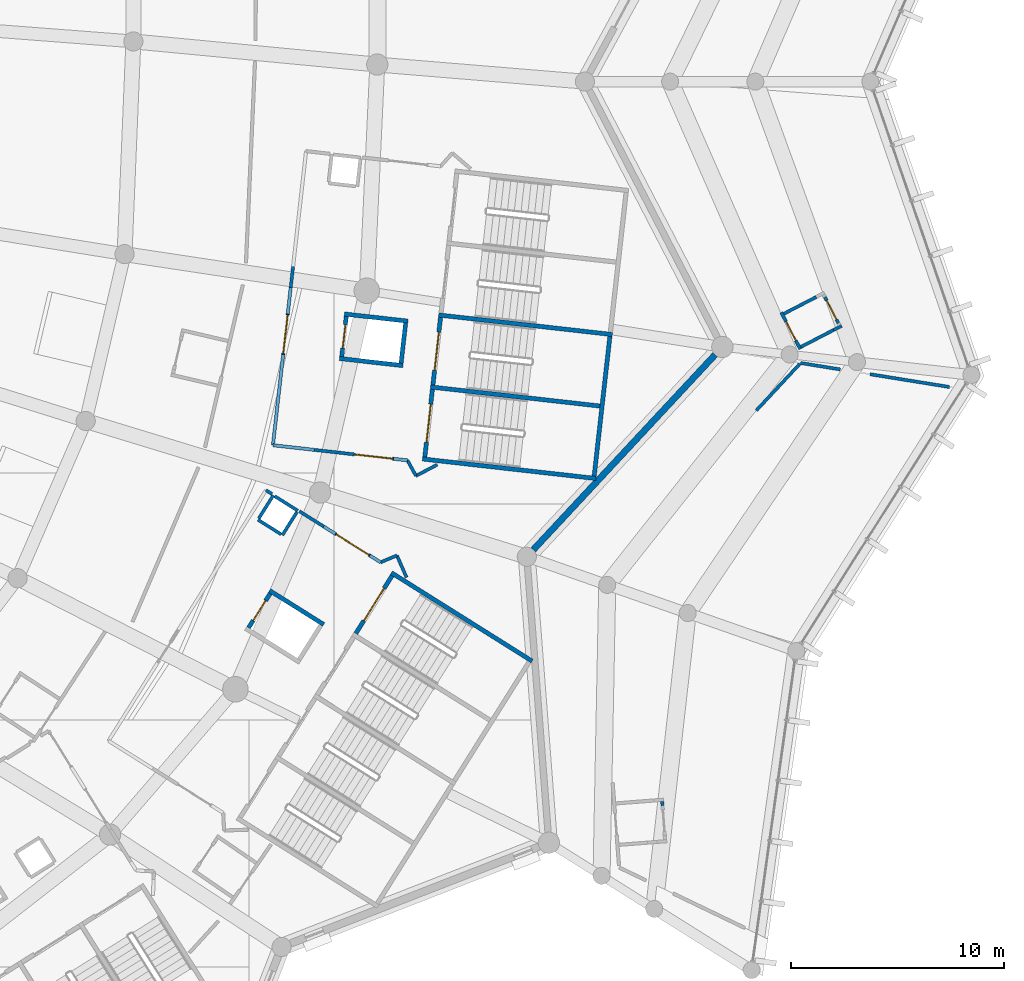
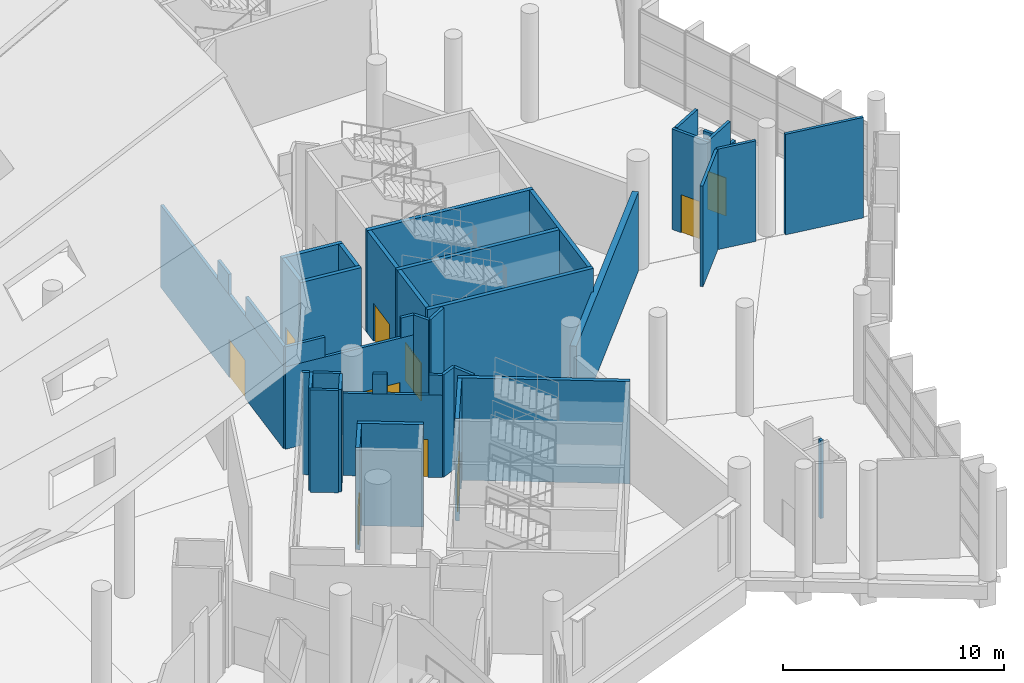
# One storey, part 153 of 249: 42 walls, 10 doors, 10 openings.
"""IFC4 building model written with IfcOpenShell, lengths in metres."""

from ifc_helpers import new_model, si_unit, direction, frame, frame_2d, origin, place, context, subcontext, project, spatial, rectangle, extrude, material, layer, layer_set, type_object, element, fill, save


model = new_model("IFC4")

# Units and contexts
model_context = context("Model", 3, precision=1e-05, world=origin(), true_north=direction((0.0, 1.0)))
body_context = subcontext(model_context, "Body", "Model", "MODEL_VIEW")
ifc_project = project(units=[si_unit("LENGTHUNIT", "METRE"), si_unit("AREAUNIT", "SQUARE_METRE"), si_unit("VOLUMEUNIT", "CUBIC_METRE"), si_unit("PLANEANGLEUNIT", "RADIAN"), si_unit("MASSUNIT", "GRAM", prefix="KILO")], contexts=[model_context])

# Site, building, storey
site_placement = place(None, origin())
site = spatial("IfcSite", under=ifc_project, at=site_placement, CompositionType="ELEMENT")
building_placement = place(site_placement, origin())
building = spatial("IfcBuilding", under=site, at=building_placement, Name="Meseta Stadium", CompositionType="ELEMENT")
storey_placement = place(building_placement, frame((0.0, 0.0, 12.0)))
storey = spatial("IfcBuildingStorey", under=building, at=storey_placement, Name="L02", CompositionType="ELEMENT", Elevation=12.0)

# Walls
ifc_material_1 = material(Name="Concrete C40/50", Category="concrete")
ifc_layer_1 = layer(ifc_material_1, 0.199951171875)
ifc_layer_set_1 = layer_set([ifc_layer_1], Name="Core divider wall 200")
wall_type_1 = type_object("IfcWallType", Name="Core divider wall 200", PredefinedType="SHEAR", material=ifc_layer_set_1)
wall_1_placement = place(storey_placement, frame((95.503662109375, -58.999267578125, 0.0), z_axis=(0.0, 0.0, 1.0), x_axis=(-0.993710792168, 0.111977058046, 0.0)))
element("IfcWall", 1, at=wall_1_placement, inside=storey, type_object=wall_type_1, Name="Core 01 L02 stair A divider wall", PredefinedType="SHEAR", context=body_context, shape_type="SweptSolid", body=[
    extrude(rectangle(XDim=8.199951171875, YDim=0.199951171875, at=frame_2d((4.10009765625, 0.0))), origin(), (0.0, 0.0, 1.0), 5.64990234375),
])
ifc_material_2 = material(Name="Concrete C40/50", Category="concrete")
ifc_layer_2 = layer(ifc_material_2, 0.199951171875)
ifc_layer_set_2 = layer_set([ifc_layer_2], Name="Core shaft wall 200")
wall_type_2 = type_object("IfcWallType", Name="Core shaft wall 200", PredefinedType="SHEAR", material=ifc_layer_set_2)
wall_2_placement = place(storey_placement, frame((95.123046875, -62.3779296875, 0.0), z_axis=(0.0, 0.0, 1.0), x_axis=(-0.993710792168, 0.111977058046, 0.0)))
element("IfcWall", 2, at=wall_2_placement, inside=storey, type_object=wall_type_2, Name="Core 01 L02 stair wall A-side", PredefinedType="SHEAR", context=body_context, shape_type="SweptSolid", body=[
    extrude(rectangle(XDim=8.199951171875, YDim=0.199951171875, at=frame_2d((4.10009765625, 0.0))), origin(), (0.0, 0.0, 1.0), 5.64990234375),
])
wall_3_placement = place(storey_placement, frame((95.884521484375, -55.62060546875, 0.0), z_axis=(0.0, 0.0, 1.0), x_axis=(-0.993711165474, 0.111973745194, 0.0)))
element("IfcWall", 3, at=wall_3_placement, inside=storey, type_object=wall_type_2, Name="Core 01 L02 stair wall shared", PredefinedType="SHEAR", context=body_context, shape_type="SweptSolid", body=[
    extrude(rectangle(XDim=8.2001953125, YDim=0.199951171875, at=frame_2d((4.10009765625, 0.0))), origin(), (0.0, 0.0, 1.0), 5.64990234375),
])
wall_4_placement = place(storey_placement, frame((95.034912109375, -62.267333984375, 0.0), z_axis=(0.0, 0.0, 1.0), x_axis=(0.111933579504, 0.993715690617, 0.0)))
element("IfcWall", 4, at=wall_4_placement, inside=storey, type_object=wall_type_2, Name="Core 01 L02 stair A outer end wall", PredefinedType="SHEAR", context=body_context, shape_type="SweptSolid", body=[
    extrude(rectangle(XDim=6.60009765625, YDim=0.199951171875, at=frame_2d((3.300048828125, 0.0))), origin(), (0.0, 0.0, 1.0), 5.64990234375),
])

# Wall, opening, door
wall_5_placement = place(storey_placement, frame((87.085205078125, -61.37158203125, 0.0), z_axis=(0.0, 0.0, 1.0), x_axis=(0.11192190762, 0.993717005286, 0.0)))
wall_5 = element("IfcWall", 5, at=wall_5_placement, inside=storey, type_object=wall_type_2, Name="Core 01 L02 stair A1 inner end wall", PredefinedType="SHEAR", context=body_context, shape_type="SweptSolid", body=[
    extrude(rectangle(XDim=3.199951171875, YDim=0.199951171875, at=frame_2d((1.60009765625, 0.0))), origin(), (0.0, 0.0, 1.0), 5.64990234375),
])
opening_1_placement = place(wall_5_placement, frame((0.699951171875, 0.0, 0.0)))
opening_1 = element("IfcOpeningElement", 6, at=opening_1_placement, cuts=wall_5, Name="Opening D1232", PredefinedType="OPENING", context=body_context, shape_type="SweptSolid", body=[
    extrude(rectangle(XDim=1.800048828125, YDim=2.10009765625, at=frame_2d((0.89990234375, 1.050048828125))), frame((0.0, 0.10986328125, 0.0), z_axis=(0.0, -1.0, 0.0), x_axis=(1.0, 0.0, 0.0)), (0.0, 0.0, 1.0), 0.219970703125),
])
ifc_material_3 = material(Name="Steel", Category="steel")
door_type_1 = type_object("IfcDoorType", Name="Stair door 1800x2100", OperationType="DOUBLE_DOOR_SINGLE_SWING", PredefinedType="DOOR", material=ifc_material_3)
door_1_placement = place(opening_1_placement, origin())
door_1 = element("IfcDoor", 7, at=door_1_placement, inside=storey, type_object=door_type_1, Name="Stair A1 door 01 L02", OperationType="DOUBLE_DOOR_SINGLE_SWING", OverallHeight=2.10009765625, OverallWidth=1.800048828125, PredefinedType="DOOR", context=body_context, shape_type="SweptSolid", body=[
    extrude(rectangle(XDim=1.800048828125, YDim=2.10009765625, at=frame_2d((0.89990234375, 1.050048828125))), frame((0.0, 0.02490234375, 0.0), z_axis=(0.0, -1.0, 0.0), x_axis=(1.0, 0.0, 0.0)), (0.0, 0.0, 1.0), 0.050048828125),
])
fill(opening_1, door_1)

wall_6_placement = place(storey_placement, frame((87.4658203125, -57.992919921875, 0.0), z_axis=(0.0, 0.0, 1.0), x_axis=(0.111997244021, 0.993708517288, 0.0)))
wall_6 = element("IfcWall", 8, at=wall_6_placement, inside=storey, type_object=wall_type_2, Name="Core 01 L02 stair A2 inner end wall", PredefinedType="SHEAR", context=body_context, shape_type="SweptSolid", body=[
    extrude(rectangle(XDim=3.199951171875, YDim=0.199951171875, at=frame_2d((1.60009765625, 0.0))), origin(), (0.0, 0.0, 1.0), 5.64990234375),
])
opening_2_placement = place(wall_6_placement, frame((0.699951171875, 0.0, 0.0)))
opening_2 = element("IfcOpeningElement", 9, at=opening_2_placement, cuts=wall_6, Name="Opening D1234", PredefinedType="OPENING", context=body_context, shape_type="SweptSolid", body=[
    extrude(rectangle(XDim=1.800048828125, YDim=2.10009765625, at=frame_2d((0.89990234375, 1.050048828125))), frame((0.0, 0.10986328125, 0.0), z_axis=(0.0, -1.0, 0.0), x_axis=(1.0, 0.0, 0.0)), (0.0, 0.0, 1.0), 0.219970703125),
])
door_2_placement = place(opening_2_placement, origin())
door_2 = element("IfcDoor", 10, at=door_2_placement, inside=storey, type_object=door_type_1, Name="Stair A2 door 01 L02", OperationType="DOUBLE_DOOR_SINGLE_SWING", OverallHeight=2.10009765625, OverallWidth=1.800048828125, PredefinedType="DOOR", context=body_context, shape_type="SweptSolid", body=[
    extrude(rectangle(XDim=1.800048828125, YDim=2.10009765625, at=frame_2d((0.89990234375, 1.050048828125))), frame((0.0, 0.02490234375, 0.0), z_axis=(0.0, -1.0, 0.0), x_axis=(1.0, 0.0, 0.0)), (0.0, 0.0, 1.0), 0.050048828125),
])
fill(opening_2, door_2)

# Walls
for number, where, z_axis, x_axis, name in (
    (11, (86.05908203125, -57.07958984375, 0.0), (0.0, 0.0, 1.0), (-0.993718878013, 0.111905279056, 0.0), "Core 01 L02 lift shaft wall left"),
    (12, (86.294189453125, -54.992919921875, 0.0), (0.0, 0.0, 1.0), (-0.993709824566, 0.111985644439, 0.0), "Core 01 L02 lift shaft wall right"),
):
    element("IfcWall", number, at=place(storey_placement, frame(where, z_axis=z_axis, x_axis=x_axis)), inside=storey, type_object=wall_type_2, Name=name, PredefinedType="SHEAR", context=body_context, shape_type="SweptSolid", body=[
        extrude(rectangle(XDim=2.999755859375, YDim=0.199951171875, at=frame_2d((1.5, 0.0))), origin(), (0.0, 0.0, 1.0), 5.64990234375),
    ])
wall_7_placement = place(storey_placement, frame((85.970947265625, -56.96923828125, 0.0), z_axis=(0.0, 0.0, 1.0), x_axis=(0.112039012324, 0.993703808847, 0.0)))
element("IfcWall", 13, at=wall_7_placement, inside=storey, type_object=wall_type_2, Name="Core 01 L02 lift shaft back wall", PredefinedType="SHEAR", context=body_context, shape_type="SweptSolid", body=[
    extrude(rectangle(XDim=1.900146484375, YDim=0.199951171875, at=frame_2d((0.9501953125, 0.0))), origin(), (0.0, 0.0, 1.0), 5.64990234375),
])

# Wall, opening, door
wall_8_placement = place(storey_placement, frame((83.188720703125, -56.65576171875, 0.0), z_axis=(0.0, 0.0, 1.0), x_axis=(0.11191213732, 0.993718105662, 0.0)))
wall_8 = element("IfcWall", 14, at=wall_8_placement, inside=storey, type_object=wall_type_2, Name="Core 01 L02 lift shaft front wall", PredefinedType="SHEAR", context=body_context, shape_type="SweptSolid", body=[
    extrude(rectangle(XDim=1.900146484375, YDim=0.199951171875, at=frame_2d((0.9501953125, 0.0))), origin(), (0.0, 0.0, 1.0), 5.64990234375),
])
opening_3_placement = place(wall_8_placement, frame((0.39990234375, 0.0, 0.0)))
opening_3 = element("IfcOpeningElement", 15, at=opening_3_placement, cuts=wall_8, Name="Opening LD4", PredefinedType="OPENING", context=body_context, shape_type="SweptSolid", body=[
    extrude(rectangle(XDim=1.10009765625, YDim=2.10009765625, at=frame_2d((0.550048828125, 1.050048828125))), frame((0.0, 0.10986328125, 0.0), z_axis=(0.0, -1.0, 0.0), x_axis=(1.0, 0.0, 0.0)), (0.0, 0.0, 1.0), 0.219970703125),
])
ifc_material_4 = material(Name="Steel", Category="steel")
door_type_2 = type_object("IfcDoorType", Name="Lift landing door 1100x2100", OperationType="SLIDING_TO_LEFT", PredefinedType="DOOR", material=ifc_material_4)
door_3_placement = place(opening_3_placement, origin())
door_3 = element("IfcDoor", 16, at=door_3_placement, inside=storey, type_object=door_type_2, Name="Lift landing door LD4", OperationType="SLIDING_TO_RIGHT", OverallHeight=2.10009765625, OverallWidth=1.10009765625, PredefinedType="DOOR", context=body_context, shape_type="SweptSolid", body=[
    extrude(rectangle(XDim=1.10009765625, YDim=2.10009765625, at=frame_2d((0.550048828125, 1.050048828125))), frame((0.0, 0.02490234375, 0.0), z_axis=(0.0, -1.0, 0.0), x_axis=(1.0, 0.0, 0.0)), (0.0, 0.0, 1.0), 0.050048828125),
])
fill(opening_3, door_3)

# Wall
wall_9_placement = place(storey_placement, frame((92.123291015625, -70.9501953125, 0.0), z_axis=(0.0, 0.0, 1.0), x_axis=(-0.846722763703, 0.532034361135, 0.0)))
element("IfcWall", 17, at=wall_9_placement, inside=storey, type_object=wall_type_2, Name="Core 28 L02 stair wall B-side", PredefinedType="SHEAR", context=body_context, shape_type="SweptSolid", body=[
    extrude(rectangle(XDim=7.800048828125, YDim=0.199951171875, at=frame_2d((3.89990234375, 0.0))), origin(), (0.0, 0.0, 1.0), 5.64990234375),
])

# Wall, opening, door
wall_10_placement = place(storey_placement, frame((83.847900390625, -69.647705078125, 0.0), z_axis=(0.0, 0.0, 1.0), x_axis=(0.532013720158, 0.846735733015, 0.0)))
wall_10 = element("IfcWall", 18, at=wall_10_placement, inside=storey, type_object=wall_type_2, Name="Core 28 L02 stair B2 inner end wall", PredefinedType="SHEAR", context=body_context, shape_type="SweptSolid", body=[
    extrude(rectangle(XDim=3.199951171875, YDim=0.199951171875, at=frame_2d((1.60009765625, 0.0))), origin(), (0.0, 0.0, 1.0), 5.64990234375),
])
opening_4_placement = place(wall_10_placement, frame((0.699951171875, 0.0, 0.0)))
opening_4 = element("IfcOpeningElement", 19, at=opening_4_placement, cuts=wall_10, Name="Opening D1219", PredefinedType="OPENING", context=body_context, shape_type="SweptSolid", body=[
    extrude(rectangle(XDim=1.800048828125, YDim=2.10009765625, at=frame_2d((0.89990234375, 1.050048828125))), frame((0.0, 0.10986328125, 0.0), z_axis=(0.0, -1.0, 0.0), x_axis=(1.0, 0.0, 0.0)), (0.0, 0.0, 1.0), 0.219970703125),
])
door_4_placement = place(opening_4_placement, origin())
door_4 = element("IfcDoor", 20, at=door_4_placement, inside=storey, type_object=door_type_1, Name="Stair B2 door 28 L02", OperationType="DOUBLE_DOOR_SINGLE_SWING", OverallHeight=2.10009765625, OverallWidth=1.800048828125, PredefinedType="DOOR", context=body_context, shape_type="SweptSolid", body=[
    extrude(rectangle(XDim=1.800048828125, YDim=2.10009765625, at=frame_2d((0.89990234375, 1.050048828125))), frame((0.0, 0.02490234375, 0.0), z_axis=(0.0, -1.0, 0.0), x_axis=(1.0, 0.0, 0.0)), (0.0, 0.0, 1.0), 0.050048828125),
])
fill(opening_4, door_4)

# Wall
wall_11_placement = place(storey_placement, frame((82.33837890625, -69.230712890625, 0.0), z_axis=(0.0, 0.0, 1.0), x_axis=(-0.846757002027, 0.531979867588, 0.0)))
element("IfcWall", 21, at=wall_11_placement, inside=storey, type_object=wall_type_2, Name="Core 28 L02 lift shaft wall right", PredefinedType="SHEAR", context=body_context, shape_type="SweptSolid", body=[
    extrude(rectangle(XDim=3.0, YDim=0.199951171875, at=frame_2d((1.5, 0.0))), origin(), (0.0, 0.0, 1.0), 5.64990234375),
])

# Wall, opening, door
wall_12_placement = place(storey_placement, frame((78.81884765625, -69.38134765625, 0.0), z_axis=(0.0, 0.0, 1.0), x_axis=(0.532018892235, 0.846732483318, 0.0)))
wall_12 = element("IfcWall", 22, at=wall_12_placement, inside=storey, type_object=wall_type_2, Name="Core 28 L02 lift shaft front wall", PredefinedType="SHEAR", context=body_context, shape_type="SweptSolid", body=[
    extrude(rectangle(XDim=1.89990234375, YDim=0.199951171875, at=frame_2d((0.949951171875, 0.0))), origin(), (0.0, 0.0, 1.0), 5.64990234375),
])
opening_5_placement = place(wall_12_placement, frame((0.39990234375, 0.0, 0.0)))
opening_5 = element("IfcOpeningElement", 23, at=opening_5_placement, cuts=wall_12, Name="Opening LD154", PredefinedType="OPENING", context=body_context, shape_type="SweptSolid", body=[
    extrude(rectangle(XDim=1.10009765625, YDim=2.10009765625, at=frame_2d((0.550048828125, 1.050048828125))), frame((0.0, 0.10986328125, 0.0), z_axis=(0.0, -1.0, 0.0), x_axis=(1.0, 0.0, 0.0)), (0.0, 0.0, 1.0), 0.219970703125),
])
door_5_placement = place(opening_5_placement, origin())
door_5 = element("IfcDoor", 24, at=door_5_placement, inside=storey, type_object=door_type_2, Name="Lift landing door LD154", OperationType="SLIDING_TO_RIGHT", OverallHeight=2.10009765625, OverallWidth=1.10009765625, PredefinedType="DOOR", context=body_context, shape_type="SweptSolid", body=[
    extrude(rectangle(XDim=1.10009765625, YDim=2.10009765625, at=frame_2d((0.550048828125, 1.050048828125))), frame((0.0, 0.02490234375, 0.0), z_axis=(0.0, -1.0, 0.0), x_axis=(1.0, 0.0, 0.0)), (0.0, 0.0, 1.0), 0.050048828125),
])
fill(opening_5, door_5)

# Walls
ifc_material_5 = material(Name="Masonry blockwork", Category="masonry")
ifc_layer_3 = layer(ifc_material_5, 0.14990234375)
ifc_layer_set_3 = layer_set([ifc_layer_3], Name="Partition 150")
wall_type_3 = type_object("IfcWallType", Name="Partition 150", PredefinedType="PARTITIONING", material=ifc_layer_set_3)
wall_13_placement = place(storey_placement, frame((111.71240234375, -58.083251953125, 0.0), z_axis=(0.0, 0.0, 1.0), x_axis=(-0.987279127288, 0.158996618901, 0.0)))
element("IfcWall", 25, at=wall_13_placement, inside=storey, type_object=wall_type_3, Name="Partition L02 L02-ring00-0", PredefinedType="PARTITIONING", context=body_context, shape_type="SweptSolid", body=[
    extrude(rectangle(XDim=3.77587890625, YDim=0.14990234375, at=frame_2d((1.887939453125, 0.0))), origin(), (0.0, 0.0, 1.0), 5.550048828125),
])
wall_14_placement = place(storey_placement, frame((106.586669921875, -57.2578125, 0.0), z_axis=(0.0, 0.0, 1.0), x_axis=(-0.987270611286, 0.159049489441, 0.0)))
element("IfcWall", 26, at=wall_14_placement, inside=storey, type_object=wall_type_3, Name="Partition L02 L02-ring00-0", PredefinedType="PARTITIONING", context=body_context, shape_type="SweptSolid", body=[
    extrude(rectangle(XDim=1.887939453125, YDim=0.14990234375, at=frame_2d((0.94384765625, 0.0))), origin(), (0.0, 0.0, 1.0), 5.550048828125),
])

# Wall, opening, door
wall_15_placement = place(storey_placement, frame((104.707275390625, -56.302490234375, 0.0), z_axis=(0.0, 0.0, 1.0), x_axis=(-0.459976248991, 0.887931219388, 0.0)))
wall_15 = element("IfcWall", 27, at=wall_15_placement, inside=storey, type_object=wall_type_3, Name="Partition L02 L02-ring00-0", PredefinedType="PARTITIONING", context=body_context, shape_type="SweptSolid", body=[
    extrude(rectangle(XDim=1.944091796875, YDim=0.14990234375, at=frame_2d((0.97216796875, 0.0))), origin(), (0.0, 0.0, 1.0), 5.550048828125),
])
opening_6_placement = place(wall_15_placement, frame((0.449951171875, 0.0, 0.0)))
opening_6 = element("IfcOpeningElement", 28, at=opening_6_placement, cuts=wall_15, Name="Opening D1267", PredefinedType="OPENING", context=body_context, shape_type="SweptSolid", body=[
    extrude(rectangle(XDim=1.0, YDim=2.10009765625, at=frame_2d((0.5, 1.050048828125))), frame((0.0, 0.0849609375, 0.0), z_axis=(0.0, -1.0, 0.0), x_axis=(1.0, 0.0, 0.0)), (0.0, 0.0, 1.0), 0.169921875),
])
ifc_material_6 = material(Name="Steel", Category="steel")
door_type_3 = type_object("IfcDoorType", Name="Fire door 1000x2100 EI2 60", OperationType="NOTDEFINED", PredefinedType="DOOR", material=ifc_material_6)
door_6_placement = place(opening_6_placement, origin())
door_6 = element("IfcDoor", 29, at=door_6_placement, inside=storey, type_object=door_type_3, Name="Room door L02 L02-ring00-0", OperationType="SINGLE_SWING_RIGHT", OverallHeight=2.10009765625, OverallWidth=1.0, PredefinedType="DOOR", context=body_context, shape_type="SweptSolid", body=[
    extrude(rectangle(XDim=1.0, YDim=2.10009765625, at=frame_2d((0.5, 1.050048828125))), frame((0.0, 0.02490234375, 0.0), z_axis=(0.0, -1.0, 0.0), x_axis=(1.0, 0.0, 0.0)), (0.0, 0.0, 1.0), 0.050048828125),
])
fill(opening_6, door_6)

# Wall
wall_16_placement = place(storey_placement, frame((102.649169921875, -59.182373046875, 0.0), z_axis=(0.0, 0.0, 1.0), x_axis=(0.681774249461, 0.731562623958, 0.0)))
element("IfcWall", 30, at=wall_16_placement, inside=storey, type_object=wall_type_3, Name="Partition L02 L02-ring27-0", PredefinedType="PARTITIONING", context=body_context, shape_type="SweptSolid", body=[
    extrude(rectangle(XDim=2.9912109375, YDim=0.14990234375, at=frame_2d((1.49560546875, 0.0))), origin(), (0.0, 0.0, 1.0), 5.550048828125),
])

# Wall, opening, door
wall_17_placement = place(storey_placement, frame((81.5126953125, -47.012451171875, 0.0), z_axis=(0.0, 0.0, 1.0), x_axis=(-0.111965089533, -0.993712140776, 0.0)))
wall_17 = element("IfcWall", 31, at=wall_17_placement, inside=storey, type_object=wall_type_3, Name="Stair vestibule wall L02 core 01", PredefinedType="PARTITIONING", context=body_context, shape_type="SweptSolid", body=[
    extrude(rectangle(XDim=13.889892578125, YDim=0.14990234375, at=frame_2d((6.94482421875, 0.0))), origin(), (0.0, 0.0, 1.0), 4.550048828125),
])
opening_7_placement = place(wall_17_placement, frame((7.75, 0.0, 0.0)))
opening_7 = element("IfcOpeningElement", 32, at=opening_7_placement, cuts=wall_17, Name="Opening D1208", PredefinedType="OPENING", context=body_context, shape_type="SweptSolid", body=[
    extrude(rectangle(XDim=1.800048828125, YDim=2.10009765625, at=frame_2d((0.89990234375, 1.050048828125))), frame((0.0, 0.0849609375, 0.0), z_axis=(0.0, -1.0, 0.0), x_axis=(1.0, 0.0, 0.0)), (0.0, 0.0, 1.0), 0.169921875),
])
ifc_material_7 = material(Name="Steel", Category="steel")
door_type_4 = type_object("IfcDoorType", Name="Fire double door 1800x2100 EI2 60", OperationType="DOUBLE_DOOR_SINGLE_SWING", PredefinedType="DOOR", material=ifc_material_7)
door_7_placement = place(opening_7_placement, origin())
door_7 = element("IfcDoor", 33, at=door_7_placement, inside=storey, type_object=door_type_4, Name="Stair vestibule door L02 core 01", OperationType="DOUBLE_DOOR_SINGLE_SWING", OverallHeight=2.10009765625, OverallWidth=1.800048828125, PredefinedType="DOOR", context=body_context, shape_type="SweptSolid", body=[
    extrude(rectangle(XDim=1.800048828125, YDim=2.10009765625, at=frame_2d((0.89990234375, 1.050048828125))), frame((0.0, 0.02490234375, 0.0), z_axis=(0.0, -1.0, 0.0), x_axis=(1.0, 0.0, 0.0)), (0.0, 0.0, 1.0), 0.050048828125),
])
fill(opening_7, door_7)

# Wall
wall_18_placement = place(storey_placement, frame((80.43798828125, -56.552001953125, 4.550048828125), z_axis=(0.0, 0.0, 1.0), x_axis=(-0.111999194174, -0.993708297492, 0.0)))
element("IfcWall", 34, at=wall_18_placement, inside=storey, type_object=wall_type_3, Name="Stair vestibule wall L02 core 01", PredefinedType="PARTITIONING", context=body_context, shape_type="SweptSolid", body=[
    extrude(rectangle(XDim=4.2900390625, YDim=0.14990234375, at=frame_2d((2.14501953125, 0.0))), origin(), (0.0, 0.0, 1.0), 1.099853515625),
])

# Wall, opening, door
wall_19_placement = place(storey_placement, frame((79.95751953125, -60.81494140625, 0.0), z_axis=(0.0, 0.0, 1.0), x_axis=(0.99370867388, -0.111995854638, 0.0)))
wall_19 = element("IfcWall", 35, at=wall_19_placement, inside=storey, type_object=wall_type_3, Name="Stair vestibule wall L02 core 01", PredefinedType="PARTITIONING", context=body_context, shape_type="SweptSolid", body=[
    extrude(rectangle(XDim=6.3544921875, YDim=0.14990234375, at=frame_2d((3.17724609375, 0.0))), origin(), (0.0, 0.0, 1.0), 4.550048828125),
])
opening_8_placement = place(wall_19_placement, frame((3.85009765625, 0.0, 0.0)))
opening_8 = element("IfcOpeningElement", 36, at=opening_8_placement, cuts=wall_19, Name="Opening D1218", PredefinedType="OPENING", context=body_context, shape_type="SweptSolid", body=[
    extrude(rectangle(XDim=1.800048828125, YDim=2.10009765625, at=frame_2d((0.89990234375, 1.050048828125))), frame((0.0, 0.0849609375, 0.0), z_axis=(0.0, -1.0, 0.0), x_axis=(1.0, 0.0, 0.0)), (0.0, 0.0, 1.0), 0.169921875),
])
door_8_placement = place(opening_8_placement, origin())
door_8 = element("IfcDoor", 37, at=door_8_placement, inside=storey, type_object=door_type_4, Name="Stair vestibule door L02 core 01", OperationType="DOUBLE_DOOR_SINGLE_SWING", OverallHeight=2.10009765625, OverallWidth=1.800048828125, PredefinedType="DOOR", context=body_context, shape_type="SweptSolid", body=[
    extrude(rectangle(XDim=1.800048828125, YDim=2.10009765625, at=frame_2d((0.89990234375, 1.050048828125))), frame((0.0, 0.02490234375, 0.0), z_axis=(0.0, -1.0, 0.0), x_axis=(1.0, 0.0, 0.0)), (0.0, 0.0, 1.0), 0.050048828125),
])
fill(opening_8, door_8)

# Walls
wall_20_placement = place(storey_placement, frame((79.95751953125, -60.81494140625, 4.550048828125), z_axis=(0.0, 0.0, 1.0), x_axis=(0.993707363865, -0.11200747743, 0.0)))
element("IfcWall", 38, at=wall_20_placement, inside=storey, type_object=wall_type_3, Name="Stair vestibule wall L02 core 01", PredefinedType="PARTITIONING", context=body_context, shape_type="SweptSolid", body=[
    extrude(rectangle(XDim=1.955078125, YDim=0.14990234375, at=frame_2d((0.9775390625, 0.0))), origin(), (0.0, 0.0, 1.0), 1.099853515625),
])
wall_21_placement = place(storey_placement, frame((85.621826171875, -61.453125, 4.550048828125), z_axis=(0.0, 0.0, 1.0), x_axis=(0.993672626597, -0.11231523117, 0.0)))
element("IfcWall", 39, at=wall_21_placement, inside=storey, type_object=wall_type_3, Name="Stair vestibule wall L02 core 01", PredefinedType="PARTITIONING", context=body_context, shape_type="SweptSolid", body=[
    extrude(rectangle(XDim=0.654296875, YDim=0.14990234375, at=frame_2d((0.3271484375, 0.0))), origin(), (0.0, 0.0, 1.0), 1.099853515625),
])
wall_22_placement = place(storey_placement, frame((86.27197265625, -61.526611328125, 0.0), z_axis=(0.0, 0.0, 1.0), x_axis=(0.480336186773, -0.877084458691, 0.0)))
element("IfcWall", 40, at=wall_22_placement, inside=storey, type_object=wall_type_3, Name="Stair vestibule wall L02 core 01", PredefinedType="PARTITIONING", context=body_context, shape_type="SweptSolid", body=[
    extrude(rectangle(XDim=0.82958984375, YDim=0.14990234375, at=frame_2d((0.414794921875, 0.0))), origin(), (0.0, 0.0, 1.0), 5.64990234375),
])
wall_23_placement = place(storey_placement, frame((86.67041015625, -62.254150390625, 0.0), z_axis=(0.0, 0.0, 1.0), x_axis=(0.884880656279, 0.465817801446, 0.0)))
element("IfcWall", 41, at=wall_23_placement, inside=storey, type_object=wall_type_3, Name="Stair vestibule wall L02 core 01", PredefinedType="PARTITIONING", context=body_context, shape_type="SweptSolid", body=[
    extrude(rectangle(XDim=1.1279296875, YDim=0.14990234375, at=frame_2d((0.56396484375, 0.0))), origin(), (0.0, 0.0, 1.0), 5.64990234375),
])
for number, where, z_axis, x_axis, name in (
    (42, (80.400634765625, -65.03125, 0.0), (0.0, 0.0, 1.0), (0.532097038765, 0.846683377265, 0.0), "Pressurisation shaft wall L02 core 28"),
    (43, (81.118896484375, -63.88818359375, 0.0), (0.0, 0.0, 1.0), (-0.846683377265, 0.532097038765, 0.0), "Pressurisation shaft wall L02 core 28"),
):
    element("IfcWall", number, at=place(storey_placement, frame(where, z_axis=z_axis, x_axis=x_axis)), inside=storey, type_object=wall_type_3, Name=name, PredefinedType="PARTITIONING", context=body_context, shape_type="SweptSolid", body=[
        extrude(rectangle(XDim=1.275146484375, YDim=0.14990234375, at=frame_2d((0.6376953125, 0.0))), origin(), (0.0, 0.0, 1.0), 5.64990234375),
    ])
for number, where, z_axis, x_axis, name in (
    (44, (79.975830078125, -63.169921875, 0.0), (0.0, 0.0, 1.0), (-0.531959757672, -0.846769635862, 0.0), "Pressurisation shaft wall L02 core 28"),
    (45, (79.257568359375, -64.31298828125, 0.0), (0.0, 0.0, 1.0), (0.846769635862, -0.531959757672, 0.0), "Pressurisation shaft wall L02 core 28"),
):
    element("IfcWall", number, at=place(storey_placement, frame(where, z_axis=z_axis, x_axis=x_axis)), inside=storey, type_object=wall_type_3, Name=name, PredefinedType="PARTITIONING", context=body_context, shape_type="SweptSolid", body=[
        extrude(rectangle(XDim=1.27490234375, YDim=0.14990234375, at=frame_2d((0.637451171875, 0.0))), origin(), (0.0, 0.0, 1.0), 5.64990234375),
    ])
wall_24_placement = place(storey_placement, frame((79.91455078125, -63.107666015625, 0.0), z_axis=(0.0, 0.0, 1.0), x_axis=(-0.84676785432, 0.531962593506, 0.0)))
element("IfcWall", 46, at=wall_24_placement, inside=storey, type_object=wall_type_3, Name="Stair vestibule wall L02 core 28", PredefinedType="PARTITIONING", context=body_context, shape_type="SweptSolid", body=[
    extrude(rectangle(XDim=0.3349609375, YDim=0.14990234375, at=frame_2d((0.16748046875, 0.0))), origin(), (0.0, 0.0, 1.0), 5.64990234375),
])
wall_25_placement = place(storey_placement, frame((86.22900390625, -67.022705078125, 0.0), z_axis=(0.0, 0.0, 1.0), x_axis=(-0.401170879934, 0.916003234215, 0.0)))
element("IfcWall", 47, at=wall_25_placement, inside=storey, type_object=wall_type_3, Name="Stair vestibule wall L02 core 28", PredefinedType="PARTITIONING", context=body_context, shape_type="SweptSolid", body=[
    extrude(rectangle(XDim=1.127685546875, YDim=0.14990234375, at=frame_2d((0.56396484375, 0.0))), origin(), (0.0, 0.0, 1.0), 5.64990234375),
])
wall_26_placement = place(storey_placement, frame((85.776611328125, -65.98974609375, 0.0), z_axis=(0.0, 0.0, 1.0), x_axis=(-0.922414184809, -0.386202112453, 0.0)))
element("IfcWall", 48, at=wall_26_placement, inside=storey, type_object=wall_type_3, Name="Stair vestibule wall L02 core 28", PredefinedType="PARTITIONING", context=body_context, shape_type="SweptSolid", body=[
    extrude(rectangle(XDim=0.830078125, YDim=0.14990234375, at=frame_2d((0.4150390625, 0.0))), origin(), (0.0, 0.0, 1.0), 5.64990234375),
])

# Wall, opening, door
wall_27_placement = place(storey_placement, frame((85.010986328125, -66.310302734375, 0.0), z_axis=(0.0, 0.0, 1.0), x_axis=(-0.846710517912, 0.532053849583, 0.0)))
wall_27 = element("IfcWall", 49, at=wall_27_placement, inside=storey, type_object=wall_type_3, Name="Stair vestibule wall L02 core 28", PredefinedType="PARTITIONING", context=body_context, shape_type="SweptSolid", body=[
    extrude(rectangle(XDim=4.50341796875, YDim=0.14990234375, at=frame_2d((2.251708984375, 0.0))), origin(), (0.0, 0.0, 1.0), 4.550048828125),
])
opening_9_placement = place(wall_27_placement, frame((0.64990234375, 0.0, 0.0)))
opening_9 = element("IfcOpeningElement", 50, at=opening_9_placement, cuts=wall_27, Name="Opening D1216", PredefinedType="OPENING", context=body_context, shape_type="SweptSolid", body=[
    extrude(rectangle(XDim=1.800048828125, YDim=2.10009765625, at=frame_2d((0.89990234375, 1.050048828125))), frame((0.0, 0.0849609375, 0.0), z_axis=(0.0, -1.0, 0.0), x_axis=(1.0, 0.0, 0.0)), (0.0, 0.0, 1.0), 0.169921875),
])
door_9_placement = place(opening_9_placement, origin())
door_9 = element("IfcDoor", 51, at=door_9_placement, inside=storey, type_object=door_type_4, Name="Stair vestibule door L02 core 28", OperationType="DOUBLE_DOOR_SINGLE_SWING", OverallHeight=2.10009765625, OverallWidth=1.800048828125, PredefinedType="DOOR", context=body_context, shape_type="SweptSolid", body=[
    extrude(rectangle(XDim=1.800048828125, YDim=2.10009765625, at=frame_2d((0.89990234375, 1.050048828125))), frame((0.0, 0.02490234375, 0.0), z_axis=(0.0, -1.0, 0.0), x_axis=(1.0, 0.0, 0.0)), (0.0, 0.0, 1.0), 0.050048828125),
])
fill(opening_9, door_9)

# Walls
wall_28_placement = place(storey_placement, frame((82.894287109375, -64.97998046875, 4.550048828125), z_axis=(0.0, 0.0, 1.0), x_axis=(-0.846776270945, 0.53194919585, 0.0)))
element("IfcWall", 52, at=wall_28_placement, inside=storey, type_object=wall_type_3, Name="Stair vestibule wall L02 core 28", PredefinedType="PARTITIONING", context=body_context, shape_type="SweptSolid", body=[
    extrude(rectangle(XDim=0.652099609375, YDim=0.14990234375, at=frame_2d((0.326171875, 0.0))), origin(), (0.0, 0.0, 1.0), 1.099853515625),
])
wall_29_placement = place(storey_placement, frame((104.739501953125, -56.201416015625, 0.0), z_axis=(0.0, 0.0, 1.0), x_axis=(0.887889843187, 0.460056112193, 0.0)))
element("IfcWall", 53, at=wall_29_placement, inside=storey, type_object=wall_type_3, Name="Partition L02 L02-ring00-0 vestibule", PredefinedType="PARTITIONING", context=body_context, shape_type="SweptSolid", body=[
    extrude(rectangle(XDim=1.719970703125, YDim=0.14990234375, at=frame_2d((0.85986328125, 0.0))), origin(), (0.0, 0.0, 1.0), 5.60009765625),
])
wall_30_placement = place(storey_placement, frame((106.2666015625, -55.41015625, 0.0), z_axis=(0.0, 0.0, 1.0), x_axis=(0.887977848417, 0.459886225843, 0.0)))
element("IfcWall", 54, at=wall_30_placement, inside=storey, type_object=wall_type_3, Name="Partition L02 L02-ring00-0 vestibule", PredefinedType="PARTITIONING", context=body_context, shape_type="SweptSolid", body=[
    extrude(rectangle(XDim=0.429931640625, YDim=0.14990234375, at=frame_2d((0.21484375, 0.0))), origin(), (0.0, 0.0, 1.0), 4.300048828125),
])
wall_31_placement = place(storey_placement, frame((103.934326171875, -54.647705078125, 0.0), z_axis=(0.0, 0.0, 1.0), x_axis=(0.887831856791, 0.460168006349, 0.0)))
element("IfcWall", 55, at=wall_31_placement, inside=storey, type_object=wall_type_3, Name="Partition L02 L02-ring00-0 vestibule", PredefinedType="PARTITIONING", context=body_context, shape_type="SweptSolid", body=[
    extrude(rectangle(XDim=1.719970703125, YDim=0.14990234375, at=frame_2d((0.85986328125, 0.0))), origin(), (0.0, 0.0, 1.0), 5.60009765625),
])

# Wall, opening, door
wall_32_placement = place(storey_placement, frame((106.501220703125, -55.091552734375, 0.0), z_axis=(0.0, 0.0, 1.0), x_axis=(-0.459864069901, 0.887989322691, 0.0)))
wall_32 = element("IfcWall", 56, at=wall_32_placement, inside=storey, type_object=wall_type_3, Name="Partition L02 L02-ring00-0 vestibule", PredefinedType="PARTITIONING", context=body_context, shape_type="SweptSolid", body=[
    extrude(rectangle(XDim=1.39990234375, YDim=0.14990234375, at=frame_2d((0.699951171875, 0.0))), origin(), (0.0, 0.0, 1.0), 4.300048828125),
])
opening_10_placement = place(wall_32_placement, frame((0.199951171875, 0.0, 0.0)))
opening_10 = element("IfcOpeningElement", 57, at=opening_10_placement, cuts=wall_32, Name="Opening D1268", PredefinedType="OPENING", context=body_context, shape_type="SweptSolid", body=[
    extrude(rectangle(XDim=1.0, YDim=2.10009765625, at=frame_2d((0.5, 1.050048828125))), frame((0.0, 0.0849609375, 0.0), z_axis=(0.0, -1.0, 0.0), x_axis=(1.0, 0.0, 0.0)), (0.0, 0.0, 1.0), 0.169921875),
])
door_10_placement = place(opening_10_placement, origin())
door_10 = element("IfcDoor", 58, at=door_10_placement, inside=storey, type_object=door_type_3, Name="Vestibule door L02 L02-ring00-0", OperationType="SINGLE_SWING_RIGHT", OverallHeight=2.10009765625, OverallWidth=1.0, PredefinedType="DOOR", context=body_context, shape_type="SweptSolid", body=[
    extrude(rectangle(XDim=1.0, YDim=2.10009765625, at=frame_2d((0.5, 1.050048828125))), frame((0.0, 0.02490234375, 0.0), z_axis=(0.0, -1.0, 0.0), x_axis=(1.0, 0.0, 0.0)), (0.0, 0.0, 1.0), 0.050048828125),
])
fill(opening_10, door_10)

# Walls
wall_33_placement = place(storey_placement, frame((98.240478515625, -77.735107421875, 0.0), z_axis=(0.0, 0.0, 1.0), x_axis=(-0.076883141957, 0.997040110769, 0.0)))
element("IfcWall", 59, at=wall_33_placement, inside=storey, type_object=wall_type_3, Name="Partition L02 L02-ring27-0 vestibule", PredefinedType="PARTITIONING", context=body_context, shape_type="SweptSolid", body=[
    extrude(rectangle(XDim=0.199951171875, YDim=0.14990234375, at=frame_2d((0.10009765625, 0.0))), origin(), (0.0, 0.0, 1.0), 4.300048828125),
])
wall_34_placement = place(storey_placement, frame((80.790771484375, -53.4208984375, 4.550048828125), z_axis=(0.0, 0.0, 1.0), x_axis=(-0.11201638851, -0.993706359397, 0.0)))
element("IfcWall", 60, at=wall_34_placement, inside=storey, type_object=wall_type_3, Name="Stair vestibule wall L02 core 01", PredefinedType="PARTITIONING", context=body_context, shape_type="SweptSolid", body=[
    extrude(rectangle(XDim=1.2509765625, YDim=0.14990234375, at=frame_2d((0.62548828125, 0.0))), origin(), (0.0, 0.0, 1.0), 1.099853515625),
])
wall_35_placement = place(storey_placement, frame((85.010986328125, -66.310302734375, 4.550048828125), z_axis=(0.0, 0.0, 1.0), x_axis=(-0.846531749872, 0.532338235015, 0.0)))
element("IfcWall", 61, at=wall_35_placement, inside=storey, type_object=wall_type_3, Name="Stair vestibule wall L02 core 28", PredefinedType="PARTITIONING", context=body_context, shape_type="SweptSolid", body=[
    extrude(rectangle(XDim=0.599853515625, YDim=0.14990234375, at=frame_2d((0.2998046875, 0.0))), origin(), (0.0, 0.0, 1.0), 1.099853515625),
])
ifc_material_8 = material(Name="White precast concrete C40/50", Category="concrete")
ifc_layer_4 = layer(ifc_material_8, 0.300048828125)
ifc_layer_set_4 = layer_set([ifc_layer_4], Name="Pleated panel wall 300 concourse")
wall_type_4 = type_object("IfcWallType", Name="Pleated panel wall 300 concourse", PredefinedType="SOLIDWALL", material=ifc_layer_set_4)
wall_36_placement = place(storey_placement, frame((100.711181640625, -56.568115234375, 0.0), z_axis=(0.0, 0.0, 1.0), x_axis=(-0.681794658463, -0.731543603411, 0.0)))
element("IfcWall", 62, at=wall_36_placement, inside=storey, type_object=wall_type_4, Name="Pleated facade panel L02 F55", PredefinedType="SOLIDWALL", context=body_context, shape_type="SweptSolid", body=[
    extrude(rectangle(XDim=12.513916015625, YDim=0.300048828125, at=frame_2d((6.2568359375, 0.0))), origin(), (0.0, 0.0, 1.0), 4.35009765625),
])

save(model, "model.ifc")
